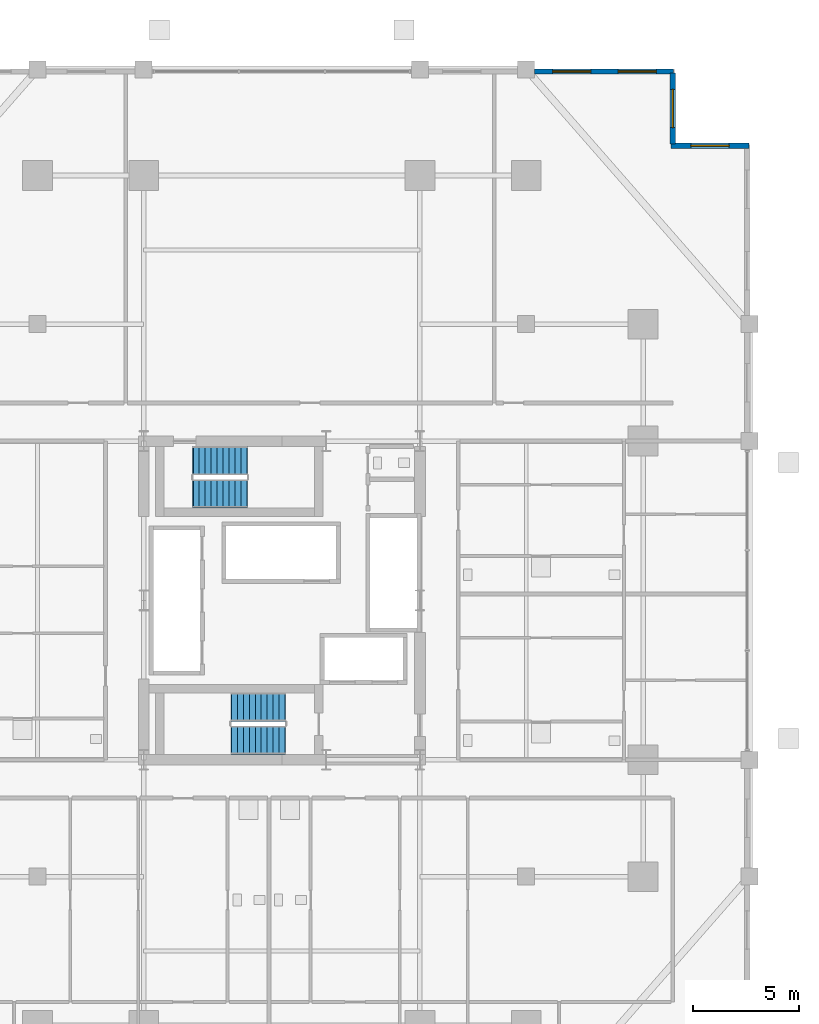
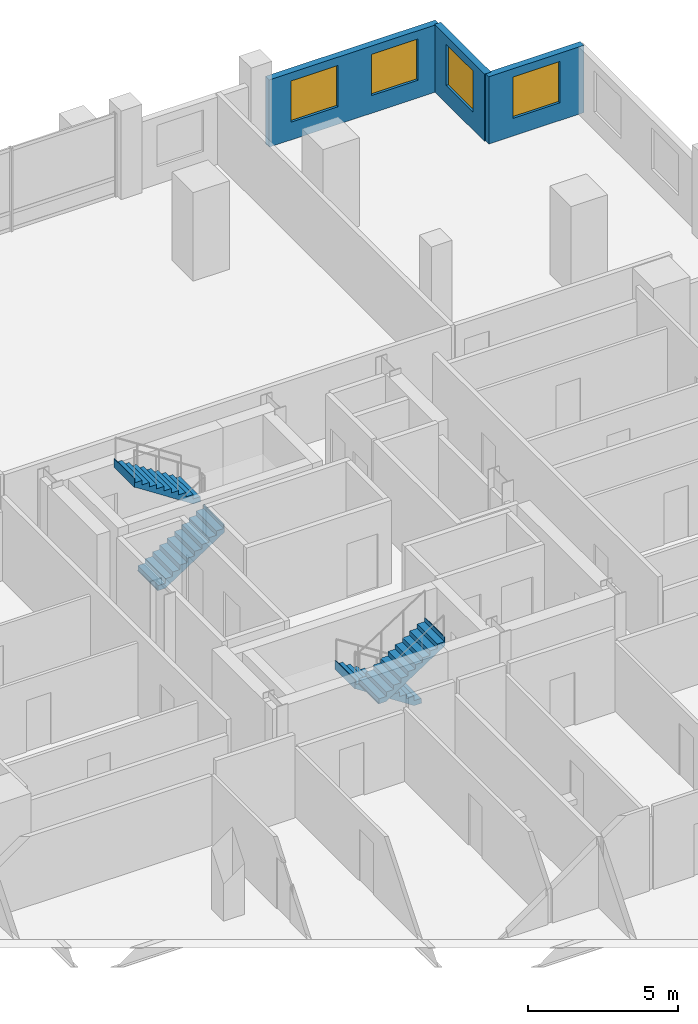
# One storey, part 21 of 23: 4 stair flights, 4 windows, 3 walls, 4 openings, 2 elements without a shape of their own.
"""IFC4 building model written with IfcOpenShell, lengths in metres."""

from ifc_helpers import new_model, si_unit, direction, frame, frame_2d, origin, place, context, subcontext, project, spatial, polyline, rectangle, outline, extrude, material, layer, layer_set, type_object, element, fill, aggregate, save


model = new_model("IFC4")

# Units and contexts
model_context = context("Model", 3, precision=1e-05, world=origin(), true_north=direction((0.0, 1.0)))
body_context = subcontext(model_context, "Body", "Model", "MODEL_VIEW")
ifc_project = project(units=[si_unit("LENGTHUNIT", "METRE"), si_unit("AREAUNIT", "SQUARE_METRE"), si_unit("VOLUMEUNIT", "CUBIC_METRE"), si_unit("PLANEANGLEUNIT", "RADIAN"), si_unit("MASSUNIT", "GRAM", prefix="KILO")], contexts=[model_context])

# Site, building, storey
site_placement = place(None, origin())
site = spatial("IfcSite", under=ifc_project, at=site_placement, CompositionType="ELEMENT")
building_placement = place(site_placement, origin())
building = spatial("IfcBuilding", under=site, at=building_placement, Name="Barlavira Tower and Art Museum", CompositionType="ELEMENT")
storey_placement = place(building_placement, frame((0.0, 0.0, 75.60009765625)))
storey = spatial("IfcBuildingStorey", under=building, at=storey_placement, Name="L18", CompositionType="ELEMENT", Elevation=75.60009765625)

# Wall, openings, windows
ifc_material_1 = material(Name="Precast concrete C40", Category="concrete")
ifc_layer = layer(ifc_material_1, 0.25, Name="Precast concrete C40")
ifc_layer_set = layer_set([ifc_layer], Name="Precast concrete C40")
wall_type = type_object("IfcWallType", Name="Notched Corner Spandrel Wall 250 Precast Concrete C40", PredefinedType="SOLIDWALL", material=ifc_layer_set)
wall_1_placement = place(storey_placement, frame((18.425048828125, 24.89990234375, 0.0), z_axis=(0.0, 0.0, 1.0), x_axis=(-1.0, 0.0, 0.0)))
wall_1 = element("IfcWall", 1, at=wall_1_placement, inside=storey, type_object=wall_type, Name="L18 Coastal Facade Pier Wall CW1-L18-N-1", PredefinedType="SOLIDWALL", context=body_context, shape_type="SweptSolid", body=[
    extrude(rectangle(XDim=6.530029296875, YDim=0.25, at=frame_2d((3.26513671875, 0.0))), origin(), (0.0, 0.0, 1.0), 2.73583984375),
])
opening_1_placement = place(wall_1_placement, frame((0.801025390625, 0.0, 0.719970703125)))
opening_1 = element("IfcOpeningElement", 2, at=opening_1_placement, cuts=wall_1, Name="Opening WN-01", PredefinedType="OPENING", context=body_context, shape_type="SweptSolid", body=[
    extrude(rectangle(XDim=1.800048828125, YDim=1.679931640625, at=frame_2d((0.89990234375, 0.83984375))), frame((0.0, 0.135009765625, 0.0), z_axis=(0.0, -1.0, 0.0), x_axis=(1.0, 0.0, 0.0)), (0.0, 0.0, 1.0), 0.27001953125),
])
opening_2_placement = place(wall_1_placement, frame((3.884033203125, 0.0, 0.719970703125)))
opening_2 = element("IfcOpeningElement", 3, at=opening_2_placement, cuts=wall_1, Name="Opening WN-01", PredefinedType="OPENING", context=body_context, shape_type="SweptSolid", body=[
    extrude(rectangle(XDim=1.800048828125, YDim=1.679931640625, at=frame_2d((0.89990234375, 0.83984375))), frame((0.0, 0.135009765625, 0.0), z_axis=(0.0, -1.0, 0.0), x_axis=(1.0, 0.0, 0.0)), (0.0, 0.0, 1.0), 0.27001953125),
])
ifc_material_2 = material(Name="Low-iron coastal laminated glass", Category="glass")
window_type = type_object("IfcWindowType", Name="Recessed Notch Corner Punch Window 1800x1680", PartitioningType="SINGLE_PANEL", PredefinedType="WINDOW", material=ifc_material_2)
window_1_placement = place(opening_1_placement, origin())
window_1 = element("IfcWindow", 4, at=window_1_placement, inside=storey, type_object=window_type, Name="L18 Punched Facade Window EWP-CW1-L18-N-1-1", OverallHeight=1.679931640625, OverallWidth=1.800048828125, PartitioningType="SINGLE_PANEL", PredefinedType="WINDOW", context=body_context, shape_type="SweptSolid", body=[
    extrude(rectangle(XDim=1.800048828125, YDim=1.679931640625, at=frame_2d((0.89990234375, 0.83984375))), frame((0.0, 0.030029296875, 0.0), z_axis=(0.0, -1.0, 0.0), x_axis=(1.0, 0.0, 0.0)), (0.0, 0.0, 1.0), 0.06005859375),
])
fill(opening_1, window_1)
window_2_placement = place(opening_2_placement, origin())
window_2 = element("IfcWindow", 5, at=window_2_placement, inside=storey, type_object=window_type, Name="L18 Punched Facade Window EWP-CW1-L18-N-1-2", OverallHeight=1.679931640625, OverallWidth=1.800048828125, PartitioningType="SINGLE_PANEL", PredefinedType="WINDOW", context=body_context, shape_type="SweptSolid", body=[
    extrude(rectangle(XDim=1.800048828125, YDim=1.679931640625, at=frame_2d((0.89990234375, 0.83984375))), frame((0.0, 0.030029296875, 0.0), z_axis=(0.0, -1.0, 0.0), x_axis=(1.0, 0.0, 0.0)), (0.0, 0.0, 1.0), 0.06005859375),
])
fill(opening_2, window_2)

# Wall, opening, window
wall_2_placement = place(storey_placement, frame((21.97998046875, 21.39990234375, 0.0), z_axis=(0.0, 0.0, 1.0), x_axis=(-1.0, 0.0, 0.0)))
wall_2 = element("IfcWall", 6, at=wall_2_placement, inside=storey, type_object=wall_type, Name="L18 Notch Corner Wall NE1", PredefinedType="SOLIDWALL", context=body_context, shape_type="SweptSolid", body=[
    extrude(rectangle(XDim=3.659912109375, YDim=0.25, at=frame_2d((1.830078125, 0.0))), origin(), (0.0, 0.0, 1.0), 2.73583984375),
])
opening_3_placement = place(wall_2_placement, frame((0.929931640625, 0.0, 0.719970703125)))
opening_3 = element("IfcOpeningElement", 7, at=opening_3_placement, cuts=wall_2, Name="Opening WN-01", PredefinedType="OPENING", context=body_context, shape_type="SweptSolid", body=[
    extrude(rectangle(XDim=1.800048828125, YDim=1.679931640625, at=frame_2d((0.89990234375, 0.83984375))), frame((0.0, 0.135009765625, 0.0), z_axis=(0.0, -1.0, 0.0), x_axis=(1.0, 0.0, 0.0)), (0.0, 0.0, 1.0), 0.27001953125),
])
window_3_placement = place(opening_3_placement, origin())
window_3 = element("IfcWindow", 8, at=window_3_placement, inside=storey, type_object=window_type, Name="L18 Punched Facade Window EW-NTC-L18-NE1-1", OverallHeight=1.679931640625, OverallWidth=1.800048828125, PartitioningType="SINGLE_PANEL", PredefinedType="WINDOW", context=body_context, shape_type="SweptSolid", body=[
    extrude(rectangle(XDim=1.800048828125, YDim=1.679931640625, at=frame_2d((0.89990234375, 0.83984375))), frame((0.0, 0.030029296875, 0.0), z_axis=(0.0, -1.0, 0.0), x_axis=(1.0, 0.0, 0.0)), (0.0, 0.0, 1.0), 0.06005859375),
])
fill(opening_3, window_3)

wall_3_placement = place(storey_placement, frame((18.39990234375, 21.47998046875, 0.0), z_axis=(0.0, 0.0, 1.0), x_axis=(0.0, 1.0, 0.0)))
wall_3 = element("IfcWall", 9, at=wall_3_placement, inside=storey, type_object=wall_type, Name="L18 Notch Corner Wall NE2", PredefinedType="SOLIDWALL", context=body_context, shape_type="SweptSolid", body=[
    extrude(rectangle(XDim=3.340087890625, YDim=0.25, at=frame_2d((1.669921875, 0.0))), origin(), (0.0, 0.0, 1.0), 2.73583984375),
])
opening_4_placement = place(wall_3_placement, frame((0.77001953125, 0.0, 0.719970703125)))
opening_4 = element("IfcOpeningElement", 10, at=opening_4_placement, cuts=wall_3, Name="Opening WN-01", PredefinedType="OPENING", context=body_context, shape_type="SweptSolid", body=[
    extrude(rectangle(XDim=1.800048828125, YDim=1.679931640625, at=frame_2d((0.89990234375, 0.83984375))), frame((0.0, 0.135009765625, 0.0), z_axis=(0.0, -1.0, 0.0), x_axis=(1.0, 0.0, 0.0)), (0.0, 0.0, 1.0), 0.27001953125),
])
window_4_placement = place(opening_4_placement, origin())
window_4 = element("IfcWindow", 11, at=window_4_placement, inside=storey, type_object=window_type, Name="L18 Punched Facade Window EW-NTC-L18-NE2-1", OverallHeight=1.679931640625, OverallWidth=1.800048828125, PartitioningType="SINGLE_PANEL", PredefinedType="WINDOW", context=body_context, shape_type="SweptSolid", body=[
    extrude(rectangle(XDim=1.800048828125, YDim=1.679931640625, at=frame_2d((0.89990234375, 0.83984375))), frame((0.0, 0.030029296875, 0.0), z_axis=(0.0, -1.0, 0.0), x_axis=(1.0, 0.0, 0.0)), (0.0, 0.0, 1.0), 0.06005859375),
])
fill(opening_4, window_4)

# Stair, stair flights
ifc_material_3 = material(Name="Concrete C45", Category="concrete")
stair_type_1 = type_object("IfcStairType", Name="Tower North Dog-Leg Exit Stair Assembly Concrete C45", PredefinedType="TWO_QUARTER_TURN_STAIR", material=ifc_material_3)
stair_1_placement = place(storey_placement, origin())
stair_1 = element("IfcStair", 12, at=stair_1_placement, inside=storey, type_object=stair_type_1, Name="L18 Tower North Exit Stair ST-T2", PredefinedType="TWO_QUARTER_TURN_STAIR")
ifc_material_4 = material(Name="Precast concrete C45", Category="concrete")
stair_flight_type_1 = type_object("IfcStairFlightType", Name="Tower North Dog-Leg Exit Stair Precast Flight 1350 Concrete C45", PredefinedType="STRAIGHT", material=ifc_material_4)
stair_flight_1_placement = place(storey_placement, frame((-4.169921875, 5.02490234375, 0.0), z_axis=(0.0, 0.0, 1.0), x_axis=(1.0, 0.0, 0.0)))
stair_flight_1 = element("IfcStairFlight", 13, at=stair_flight_1_placement, type_object=stair_flight_type_1, Name="ST-T2 flight 1", NumberOfRisers=10, NumberOfTreads=9, PredefinedType="STRAIGHT", RiserHeight=0.18, TreadLength=0.28, context=body_context, shape_type="SweptSolid", body=[
    extrude(outline(polyline([(-0.02490234375, 0.0), (0.0, 0.0), (0.0, 0.179931640625), (0.280029296875, 0.179931640625), (0.280029296875, 0.360107421875), (0.56005859375, 0.360107421875), (0.56005859375, 0.5400390625), (0.840087890625, 0.5400390625), (0.840087890625, 0.719970703125), (1.1201171875, 0.719970703125), (1.1201171875, 0.89990234375), (1.39990234375, 0.89990234375), (1.39990234375, 1.080078125), (1.679931640625, 1.080078125), (1.679931640625, 1.260009765625), (1.9599609375, 1.260009765625), (1.9599609375, 1.43994140625), (2.239990234375, 1.43994140625), (2.239990234375, 1.6201171875), (2.52001953125, 1.6201171875), (2.52001953125, 1.800048828125), (2.544921875, 1.800048828125), (2.544921875, 1.44189453125), (2.52001953125, 1.44189453125), (0.277099609375, -0.02490234375), (-0.02490234375, -0.02490234375), (-0.02490234375, 0.0)])), frame((0.0, 0.675048828125, 0.0), z_axis=(0.0, -1.0, 0.0), x_axis=(1.0, 0.0, 0.0)), (0.0, 0.0, 1.0), 1.35009765625),
])
stair_flight_2_placement = place(storey_placement, frame((-1.64990234375, 6.574951171875, 1.7998046875), z_axis=(0.0, 0.0, 1.0), x_axis=(-1.0, 0.0, 0.0)))
stair_flight_2 = element("IfcStairFlight", 14, at=stair_flight_2_placement, type_object=stair_flight_type_1, Name="ST-T2 flight 2", NumberOfRisers=10, NumberOfTreads=9, PredefinedType="STRAIGHT", RiserHeight=0.18, TreadLength=0.28, context=body_context, shape_type="SweptSolid", body=[
    extrude(outline(polyline([(-0.02490234375, 0.0), (0.0, 0.0), (0.0, 0.179931640625), (0.280029296875, 0.179931640625), (0.280029296875, 0.360107421875), (0.56005859375, 0.360107421875), (0.56005859375, 0.5400390625), (0.840087890625, 0.5400390625), (0.840087890625, 0.719970703125), (1.1201171875, 0.719970703125), (1.1201171875, 0.89990234375), (1.39990234375, 0.89990234375), (1.39990234375, 1.080078125), (1.679931640625, 1.080078125), (1.679931640625, 1.260009765625), (1.9599609375, 1.260009765625), (1.9599609375, 1.43994140625), (2.239990234375, 1.43994140625), (2.239990234375, 1.6201171875), (2.52001953125, 1.6201171875), (2.52001953125, 1.800048828125), (2.544921875, 1.800048828125), (2.544921875, 1.44189453125), (2.52001953125, 1.44189453125), (0.277099609375, -0.02490234375), (-0.02490234375, -0.02490234375), (-0.02490234375, 0.0)])), frame((0.0, 0.675048828125, 0.0), z_axis=(0.0, -1.0, 0.0), x_axis=(1.0, 0.0, 0.0)), (0.0, 0.0, 1.0), 1.35009765625),
])
aggregate(stair_1, [stair_flight_1, stair_flight_2])

stair_type_2 = type_object("IfcStairType", Name="Tower South Dog-Leg Exit Stair Assembly Concrete C45", PredefinedType="TWO_QUARTER_TURN_STAIR", material=ifc_material_3)
stair_2_placement = place(storey_placement, origin())
stair_2 = element("IfcStair", 15, at=stair_2_placement, inside=storey, type_object=stair_type_2, Name="L18 Tower South Exit Stair ST-T1", PredefinedType="TWO_QUARTER_TURN_STAIR")
stair_flight_type_2 = type_object("IfcStairFlightType", Name="Tower South Dog-Leg Exit Stair Precast Flight 1350 Concrete C45", PredefinedType="STRAIGHT", material=ifc_material_4)
stair_flight_3_placement = place(storey_placement, frame((0.14990234375, -5.02490234375, 0.0), z_axis=(0.0, 0.0, 1.0), x_axis=(-1.0, 0.0, 0.0)))
stair_flight_3 = element("IfcStairFlight", 16, at=stair_flight_3_placement, type_object=stair_flight_type_2, Name="ST-T1 flight 1", NumberOfRisers=10, NumberOfTreads=9, PredefinedType="STRAIGHT", RiserHeight=0.18, TreadLength=0.28, context=body_context, shape_type="SweptSolid", body=[
    extrude(outline(polyline([(-0.02490234375, 0.0), (0.0, 0.0), (0.0, 0.179931640625), (0.280029296875, 0.179931640625), (0.280029296875, 0.360107421875), (0.56005859375, 0.360107421875), (0.56005859375, 0.5400390625), (0.840087890625, 0.5400390625), (0.840087890625, 0.719970703125), (1.1201171875, 0.719970703125), (1.1201171875, 0.89990234375), (1.39990234375, 0.89990234375), (1.39990234375, 1.080078125), (1.679931640625, 1.080078125), (1.679931640625, 1.260009765625), (1.9599609375, 1.260009765625), (1.9599609375, 1.43994140625), (2.239990234375, 1.43994140625), (2.239990234375, 1.6201171875), (2.52001953125, 1.6201171875), (2.52001953125, 1.800048828125), (2.544921875, 1.800048828125), (2.544921875, 1.44189453125), (2.52001953125, 1.44189453125), (0.277099609375, -0.02490234375), (-0.02490234375, -0.02490234375), (-0.02490234375, 0.0)])), frame((0.0, 0.675048828125, 0.0), z_axis=(0.0, -1.0, 0.0), x_axis=(1.0, 0.0, 0.0)), (0.0, 0.0, 1.0), 1.35009765625),
])
stair_flight_4_placement = place(storey_placement, frame((-2.3701171875, -6.574951171875, 1.7998046875), z_axis=(0.0, 0.0, 1.0), x_axis=(1.0, 0.0, 0.0)))
stair_flight_4 = element("IfcStairFlight", 17, at=stair_flight_4_placement, type_object=stair_flight_type_2, Name="ST-T1 flight 2", NumberOfRisers=10, NumberOfTreads=9, PredefinedType="STRAIGHT", RiserHeight=0.18, TreadLength=0.28, context=body_context, shape_type="SweptSolid", body=[
    extrude(outline(polyline([(-0.02490234375, 0.0), (0.0, 0.0), (0.0, 0.179931640625), (0.280029296875, 0.179931640625), (0.280029296875, 0.360107421875), (0.56005859375, 0.360107421875), (0.56005859375, 0.5400390625), (0.840087890625, 0.5400390625), (0.840087890625, 0.719970703125), (1.1201171875, 0.719970703125), (1.1201171875, 0.89990234375), (1.39990234375, 0.89990234375), (1.39990234375, 1.080078125), (1.679931640625, 1.080078125), (1.679931640625, 1.260009765625), (1.9599609375, 1.260009765625), (1.9599609375, 1.43994140625), (2.239990234375, 1.43994140625), (2.239990234375, 1.6201171875), (2.52001953125, 1.6201171875), (2.52001953125, 1.800048828125), (2.544921875, 1.800048828125), (2.544921875, 1.44189453125), (2.52001953125, 1.44189453125), (0.277099609375, -0.02490234375), (-0.02490234375, -0.02490234375), (-0.02490234375, 0.0)])), frame((0.0, 0.675048828125, 0.0), z_axis=(0.0, -1.0, 0.0), x_axis=(1.0, 0.0, 0.0)), (0.0, 0.0, 1.0), 1.35009765625),
])
aggregate(stair_2, [stair_flight_3, stair_flight_4])

save(model, "model.ifc")
